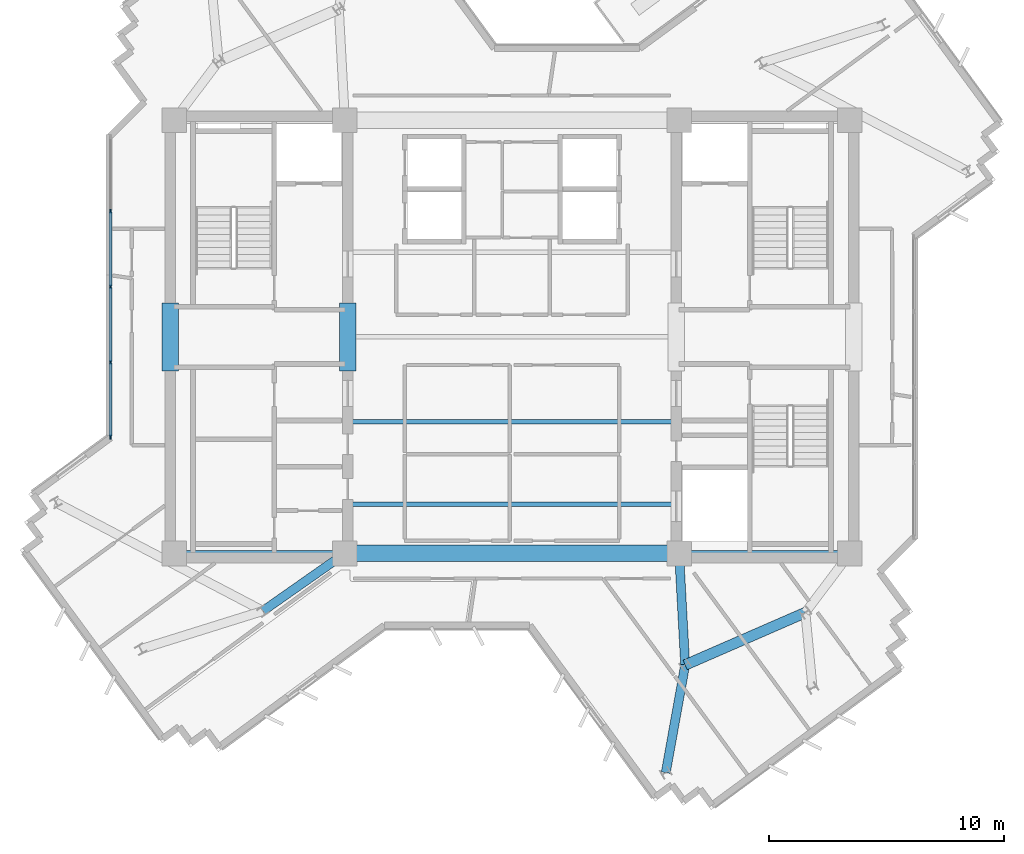
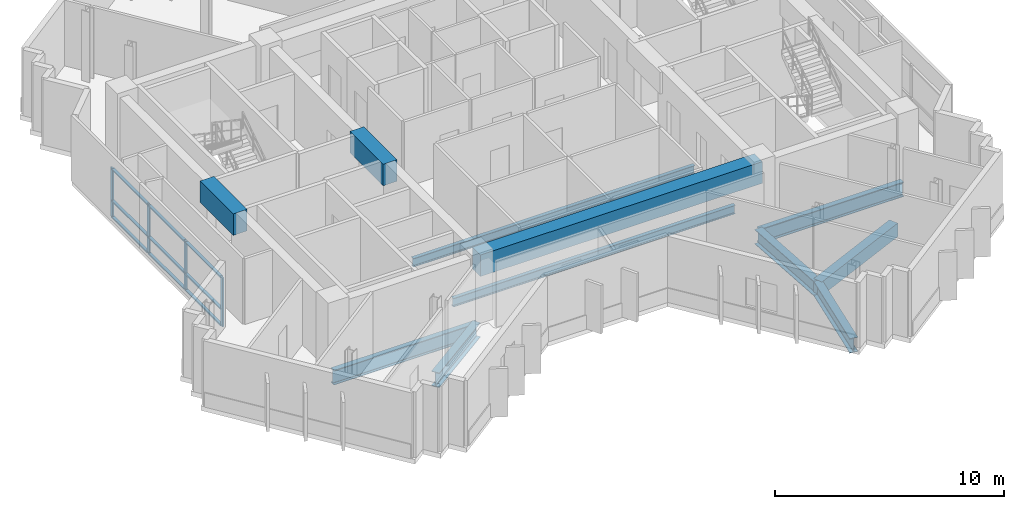
# One storey, part 2 of 13: 13 members, 11 beams, 1 element without a shape of its own.
"""IFC4 building model written with IfcOpenShell, lengths in metres."""

from ifc_helpers import new_model, si_unit, direction, frame, origin, origin_2d, place, context, subcontext, project, spatial, rectangle, i_section, extrude, source, transform, mapped, material, layer, layer_set, material_profile, profile_set, type_object, element, aggregate, save


model = new_model("IFC4")

# Units and contexts
model_context = context("Model", 3, precision=1e-05, world=origin(), true_north=direction((0.0, 1.0)))
body_context = subcontext(model_context, "Body", "Model", "MODEL_VIEW")
ifc_project = project(units=[si_unit("LENGTHUNIT", "METRE"), si_unit("AREAUNIT", "SQUARE_METRE"), si_unit("VOLUMEUNIT", "CUBIC_METRE"), si_unit("PLANEANGLEUNIT", "RADIAN"), si_unit("MASSUNIT", "GRAM", prefix="KILO")], contexts=[model_context])

# Site, building, storey
site_placement = place(None, origin())
site = spatial("IfcSite", under=ifc_project, at=site_placement, CompositionType="ELEMENT")
building_placement = place(site_placement, origin())
building = spatial("IfcBuilding", under=site, at=building_placement, Name="Zahravan Cultural Tower", CompositionType="ELEMENT")
storey_placement = place(building_placement, frame((0.0, 0.0, 276.60009765625)))
storey = spatial("IfcBuildingStorey", under=building, at=storey_placement, Name="L66", CompositionType="ELEMENT", Elevation=276.60009765625)

# Beams
ifc_material_1 = material(Name="Concrete C50/60", Category="concrete")
ifc_material_profile_1 = material_profile(ifc_material_1, rectangle(XDim=0.699951171875, YDim=1.14990234375, at=origin_2d()), Name="RC700X1150")
ifc_profile_set_1 = profile_set([ifc_material_profile_1], Name="Concrete C50/60")
beam_type_1 = type_object("IfcBeamType", Name="BM-LN-RC700X1150", PredefinedType="LINTEL", material=ifc_profile_set_1)
shared_shape_1 = source(origin(), body_context, "Body", "SweptSolid", [
    extrude(rectangle(XDim=0.699951171875, YDim=1.14990234375, at=origin_2d()), origin(), (0.0, 0.0, 1.0), 14.2001953125),
])
beam_1_placement = place(storey_placement, frame((28.89990234375, 17.800048828125, 2.9248046875), z_axis=(1.0, 0.0, 0.0), x_axis=(0.0, 1.0, 0.0)))
element("IfcBeam", 1, at=beam_1_placement, inside=storey, type_object=beam_type_1, Name="L66 Beam LN-L66-S", PredefinedType="LINTEL", context=body_context, shape_type="MappedRepresentation", body=[
    mapped(shared_shape_1, transform((0.0, 0.0, 0.0), x_axis=(1.0, 0.0, 0.0), y_axis=(0.0, 1.0, 0.0), z_axis=(0.0, 0.0, 1.0), scale=1.0)),
])
shared_shape_2 = source(origin(), body_context, "Body", "SweptSolid", [
    extrude(rectangle(XDim=0.699951171875, YDim=1.14990234375, at=origin_2d()), origin(), (0.0, 0.0, 1.0), 2.89990234375),
])
for number, where, z_axis, x_axis, name in (
    (2, (21.47509765625, 25.550048828125, 2.9248046875), (0.0, 1.0, 0.0), (-1.0, 0.0, 0.0), "L66 Beam LN-L66-PWW"),
    (3, (29.02490234375, 25.550048828125, 2.9248046875), (0.0, 1.0, 0.0), (-1.0, 0.0, 0.0), "L66 Beam LN-L66-PWE"),
):
    element("IfcBeam", number, at=place(storey_placement, frame(where, z_axis=z_axis, x_axis=x_axis)), inside=storey, type_object=beam_type_1, Name=name, PredefinedType="LINTEL", context=body_context, shape_type="MappedRepresentation", body=[
        mapped(shared_shape_2, transform((0.0, 0.0, 0.0), x_axis=(1.0, 0.0, 0.0), y_axis=(0.0, 1.0, 0.0), z_axis=(0.0, 0.0, 1.0), scale=1.0)),
    ])
ifc_material_2 = material(Name="Steel ASTM A992 Grade 50", Category="steel")
ifc_material_profile_2 = material_profile(ifc_material_2, i_section(OverallWidth=0.26611328125, OverallDepth=0.780029296875, WebThickness=0.0166015625, FlangeThickness=0.030029296875, FilletRadius=0.01904296875, at=origin_2d()), Name="W30X148")
ifc_profile_set_2 = profile_set([ifc_material_profile_2], Name="Steel ASTM A992 Grade 50")
beam_type_2 = type_object("IfcBeamType", Name="BM-G-W30X148", PredefinedType="BEAM", material=ifc_profile_set_2)
shared_shape_3 = source(origin(), body_context, "Body", "SweptSolid", [
    extrude(i_section(OverallWidth=0.26611328125, OverallDepth=0.780029296875, WebThickness=0.0166015625, FlangeThickness=0.030029296875, FilletRadius=0.01904296875, at=origin_2d()), origin(), (0.0, 0.0, 1.0), 7.25),
])
for number, where, z_axis, x_axis, name in (
    (4, (21.64990234375, 17.800048828125, -0.64013671875), (1.0, 0.0, 0.0), (0.0, 1.0, 0.0), "L66 Beam BG-L66-01"),
    (5, (43.10009765625, 17.800048828125, -0.64013671875), (1.0, 0.0, 0.0), (0.0, 1.0, 0.0), "L66 Beam BG-L66-04"),
):
    element("IfcBeam", number, at=place(storey_placement, frame(where, z_axis=z_axis, x_axis=x_axis)), inside=storey, type_object=beam_type_2, Name=name, PredefinedType="BEAM", context=body_context, shape_type="MappedRepresentation", body=[
        mapped(shared_shape_3, transform((0.0, 0.0, 0.0), x_axis=(1.0, 0.0, 0.0), y_axis=(0.0, 1.0, 0.0), z_axis=(0.0, 0.0, 1.0), scale=1.0)),
    ])
ifc_material_3 = material(Name="Concrete C45/55", Category="concrete")
ifc_material_profile_3 = material_profile(ifc_material_3, rectangle(XDim=0.449951171875, YDim=0.719970703125, at=origin_2d()), Name="RC450X720")
ifc_profile_set_3 = profile_set([ifc_material_profile_3], Name="Concrete C45/55")
beam_type_3 = type_object("IfcBeamType", Name="BM-SP-RC450X720", PredefinedType="SPANDREL", material=ifc_profile_set_3)
shared_shape_4 = source(origin(), body_context, "Body", "SweptSolid", [
    extrude(rectangle(XDim=0.449951171875, YDim=0.719970703125, at=origin_2d()), origin(), (0.0, 0.0, 1.0), 5.570556640625),
])
beam_2_placement = place(storey_placement, frame((43.357421875, 13.062744140625, -0.610107421875), z_axis=(0.9166445026, 0.399703459896, 0.0), x_axis=(-0.399703459896, 0.9166445026, 0.0)))
element("IfcBeam", 6, at=beam_2_placement, inside=storey, type_object=beam_type_3, Name="L66 Beam SP-L66-20", PredefinedType="SPANDREL", context=body_context, shape_type="MappedRepresentation", body=[
    mapped(shared_shape_4, transform((0.0, 0.0, 0.0), x_axis=(1.0, 0.0, 0.0), y_axis=(0.0, 1.0, 0.0), z_axis=(0.0, 0.0, 1.0), scale=1.0)),
])
ifc_material_profile_4 = material_profile(ifc_material_2, i_section(OverallWidth=0.18994140625, OverallDepth=0.45703125, WebThickness=0.009033203125, FlangeThickness=0.014404296875, FilletRadius=0.012939453125, at=origin_2d()), Name="W18X50")
ifc_profile_set_4 = profile_set([ifc_material_profile_4], Name="Steel ASTM A992 Grade 50")
beam_type_4 = type_object("IfcBeamType", Name="BM-J-W18X50", PredefinedType="JOIST", material=ifc_profile_set_4)
shared_shape_5 = source(origin(), body_context, "Body", "SweptSolid", [
    extrude(i_section(OverallWidth=0.18994140625, OverallDepth=0.45703125, WebThickness=0.009033203125, FlangeThickness=0.014404296875, FilletRadius=0.012939453125, at=origin_2d()), origin(), (0.0, 0.0, 1.0), 14.2001953125),
])
for number, where, z_axis, x_axis, name in (
    (7, (28.89990234375, 19.89990234375, -0.478515625), (1.0, 0.0, 0.0), (0.0, 1.0, 0.0), "L66 Beam BJ-L66-22"),
    (8, (28.89990234375, 23.39990234375, -0.478515625), (1.0, 0.0, 0.0), (0.0, 1.0, 0.0), "L66 Beam BJ-L66-23"),
):
    element("IfcBeam", number, at=place(storey_placement, frame(where, z_axis=z_axis, x_axis=x_axis)), inside=storey, type_object=beam_type_4, Name=name, PredefinedType="JOIST", context=body_context, shape_type="MappedRepresentation", body=[
        mapped(shared_shape_5, transform((0.0, 0.0, 0.0), x_axis=(1.0, 0.0, 0.0), y_axis=(0.0, 1.0, 0.0), z_axis=(0.0, 0.0, 1.0), scale=1.0)),
    ])
ifc_material_profile_5 = material_profile(ifc_material_2, i_section(OverallWidth=0.382080078125, OverallDepth=0.779052734375, WebThickness=0.01806640625, FlangeThickness=0.030029296875, FilletRadius=0.01904296875, at=origin_2d()), Name="W30X191")
ifc_profile_set_5 = profile_set([ifc_material_profile_5], Name="Steel ASTM A992 Grade 50")
beam_type_5 = type_object("IfcBeamType", Name="BM-G-W30X191", PredefinedType="BEAM", material=ifc_profile_set_5)
shared_shape_6 = source(origin(), body_context, "Body", "SweptSolid", [
    extrude(i_section(OverallWidth=0.382080078125, OverallDepth=0.779052734375, WebThickness=0.01806640625, FlangeThickness=0.030029296875, FilletRadius=0.01904296875, at=origin_2d()), origin(), (0.0, 0.0, 1.0), 4.248779296875),
])
beam_3_placement = place(storey_placement, frame((28.89990234375, 17.800048828125, -0.6396484375), z_axis=(-0.81854294596, -0.574445337365, 0.0), x_axis=(0.574445337365, -0.81854294596, 0.0)))
element("IfcBeam", 9, at=beam_3_placement, inside=storey, type_object=beam_type_5, Name="L66 Beam BG-L66-07", PredefinedType="BEAM", context=body_context, shape_type="MappedRepresentation", body=[
    mapped(shared_shape_6, transform((0.0, 0.0, 0.0), x_axis=(1.0, 0.0, 0.0), y_axis=(0.0, 1.0, 0.0), z_axis=(0.0, 0.0, 1.0), scale=1.0)),
])
shared_shape_7 = source(origin(), body_context, "Body", "SweptSolid", [
    extrude(i_section(OverallWidth=0.382080078125, OverallDepth=0.779052734375, WebThickness=0.01806640625, FlangeThickness=0.030029296875, FilletRadius=0.01904296875, at=origin_2d()), origin(), (0.0, 0.0, 1.0), 4.744384765625),
])
beam_4_placement = place(storey_placement, frame((43.10009765625, 17.800048828125, -0.6396484375), z_axis=(0.054238739845, -0.998527996152, 0.0), x_axis=(0.998527996152, 0.054238739845, 0.0)))
element("IfcBeam", 10, at=beam_4_placement, inside=storey, type_object=beam_type_5, Name="L66 Beam BG-L66-08", PredefinedType="BEAM", context=body_context, shape_type="MappedRepresentation", body=[
    mapped(shared_shape_7, transform((0.0, 0.0, 0.0), x_axis=(1.0, 0.0, 0.0), y_axis=(0.0, 1.0, 0.0), z_axis=(0.0, 0.0, 1.0), scale=1.0)),
])
shared_shape_8 = source(origin(), body_context, "Body", "SweptSolid", [
    extrude(i_section(OverallWidth=0.382080078125, OverallDepth=0.779052734375, WebThickness=0.01806640625, FlangeThickness=0.030029296875, FilletRadius=0.01904296875, at=origin_2d()), origin(), (0.0, 0.0, 1.0), 4.65087890625),
])
beam_5_placement = place(storey_placement, frame((43.357421875, 13.062744140625, -0.6396484375), z_axis=(-0.177425522697, -0.984134230629, 0.0), x_axis=(0.984134230629, -0.177425522697, 0.0)))
element("IfcBeam", 11, at=beam_5_placement, inside=storey, type_object=beam_type_5, Name="L66 Beam BG-L66-18", PredefinedType="BEAM", context=body_context, shape_type="MappedRepresentation", body=[
    mapped(shared_shape_8, transform((0.0, 0.0, 0.0), x_axis=(1.0, 0.0, 0.0), y_axis=(0.0, 1.0, 0.0), z_axis=(0.0, 0.0, 1.0), scale=1.0)),
])

# Curtain wall, members
ifc_material_4 = material(Name="Anodised bronze-aluminium mullion", Category="aluminium")
ifc_layer = layer(ifc_material_4, 0.179931640625)
ifc_layer_set = layer_set([ifc_layer], Name="Anodised bronze-aluminium mullion")
curtain_wall_type = type_object("IfcCurtainWallType", Name="CW-SYS-3", PredefinedType="USERDEFINED", material=ifc_layer_set)
curtain_wall_placement = place(storey_placement, origin())
curtain_wall = element("IfcCurtainWall", 12, at=curtain_wall_placement, inside=storey, type_object=curtain_wall_type, Name="L66 Recessed Curtain Wall CW-3.2", ObjectType="RECESSED GLAZING", PredefinedType="USERDEFINED")
ifc_material_profile_6 = material_profile(ifc_material_4, rectangle(XDim=0.070068359375, YDim=0.179931640625, at=origin_2d()), Name="AL-M70X180")
ifc_profile_set_6 = profile_set([ifc_material_profile_6], Name="Anodised bronze-aluminium mullion")
member_type_1 = type_object("IfcMemberType", Name="CWM-CW-3", PredefinedType="MULLION", material=ifc_profile_set_6)
shared_shape_9 = source(origin(), body_context, "Body", "SweptSolid", [
    extrude(rectangle(XDim=0.070068359375, YDim=0.179931640625, at=origin_2d()), origin(), (0.0, 0.0, 1.0), 2.619873046875),
])
member_1_placement = place(storey_placement, frame((18.93994140625, 22.749267578125, 0.0), z_axis=(0.0, 0.0, 1.0), x_axis=(-1.0, 0.0, 0.0)))
member_1 = element("IfcMember", 13, at=member_1_placement, type_object=member_type_1, Name="CW-3 mullion 1", PredefinedType="MULLION", context=body_context, shape_type="MappedRepresentation", body=[
    mapped(shared_shape_9, transform((0.0, 0.0, 0.0), x_axis=(1.0, 0.0, 0.0), y_axis=(0.0, 1.0, 0.0), z_axis=(0.0, 0.0, 1.0), scale=1.0)),
])
member_2_placement = place(storey_placement, frame((18.93994140625, 25.921142578125, 0.0), z_axis=(0.0, 0.0, 1.0), x_axis=(-1.0, 0.0, 0.0)))
member_2 = element("IfcMember", 14, at=member_2_placement, type_object=member_type_1, Name="CW-3 mullion 2", PredefinedType="MULLION", context=body_context, shape_type="MappedRepresentation", body=[
    mapped(shared_shape_9, transform((0.0, 0.0, 0.0), x_axis=(1.0, 0.0, 0.0), y_axis=(0.0, 1.0, 0.0), z_axis=(0.0, 0.0, 1.0), scale=1.0)),
])
member_3_placement = place(storey_placement, frame((18.93994140625, 29.128173828125, 0.0), z_axis=(0.0, 0.0, 1.0), x_axis=(-1.0, 0.0, 0.0)))
member_3 = element("IfcMember", 15, at=member_3_placement, type_object=member_type_1, Name="CW-3 mullion 3", PredefinedType="MULLION", context=body_context, shape_type="MappedRepresentation", body=[
    mapped(shared_shape_9, transform((0.0, 0.0, 0.0), x_axis=(1.0, 0.0, 0.0), y_axis=(0.0, 1.0, 0.0), z_axis=(0.0, 0.0, 1.0), scale=1.0)),
])
member_4_placement = place(storey_placement, frame((18.93994140625, 32.3349609375, 0.0), z_axis=(0.0, 0.0, 1.0), x_axis=(-1.0, 0.0, 0.0)))
member_4 = element("IfcMember", 16, at=member_4_placement, type_object=member_type_1, Name="CW-3 mullion 4", PredefinedType="MULLION", context=body_context, shape_type="MappedRepresentation", body=[
    mapped(shared_shape_9, transform((0.0, 0.0, 0.0), x_axis=(1.0, 0.0, 0.0), y_axis=(0.0, 1.0, 0.0), z_axis=(0.0, 0.0, 1.0), scale=1.0)),
])
ifc_material_profile_7 = material_profile(ifc_material_4, rectangle(XDim=0.139892578125, YDim=0.070068359375, at=origin_2d()), Name="AL-T70X140")
ifc_profile_set_7 = profile_set([ifc_material_profile_7], Name="Anodised bronze-aluminium mullion")
member_type_2 = type_object("IfcMemberType", Name="CWT-CW-3", PredefinedType="USERDEFINED", material=ifc_profile_set_7)
shared_shape_10 = source(origin(), body_context, "Body", "SweptSolid", [
    extrude(rectangle(XDim=0.139892578125, YDim=0.070068359375, at=origin_2d()), origin(), (0.0, 0.0, 1.0), 3.10205078125),
])
member_5_placement = place(storey_placement, frame((18.93994140625, 22.7841796875, 0.034912109375), z_axis=(0.0, 1.0, 0.0), x_axis=(-1.0, 0.0, 0.0)))
member_5 = element("IfcMember", 17, at=member_5_placement, type_object=member_type_2, Name="CW-3 transom 1.1", ObjectType="TRANSOM", PredefinedType="USERDEFINED", context=body_context, shape_type="MappedRepresentation", body=[
    mapped(shared_shape_10, transform((0.0, 0.0, 0.0), x_axis=(1.0, 0.0, 0.0), y_axis=(0.0, 1.0, 0.0), z_axis=(0.0, 0.0, 1.0), scale=1.0)),
])
member_6_placement = place(storey_placement, frame((18.93994140625, 22.7841796875, 0.89990234375), z_axis=(0.0, 1.0, 0.0), x_axis=(-1.0, 0.0, 0.0)))
member_6 = element("IfcMember", 18, at=member_6_placement, type_object=member_type_2, Name="CW-3 transom 1.2", ObjectType="TRANSOM", PredefinedType="USERDEFINED", context=body_context, shape_type="MappedRepresentation", body=[
    mapped(shared_shape_10, transform((0.0, 0.0, 0.0), x_axis=(1.0, 0.0, 0.0), y_axis=(0.0, 1.0, 0.0), z_axis=(0.0, 0.0, 1.0), scale=1.0)),
])
member_7_placement = place(storey_placement, frame((18.93994140625, 22.7841796875, 2.5849609375), z_axis=(0.0, 1.0, 0.0), x_axis=(-1.0, 0.0, 0.0)))
member_7 = element("IfcMember", 19, at=member_7_placement, type_object=member_type_2, Name="CW-3 transom 1.3", ObjectType="TRANSOM", PredefinedType="USERDEFINED", context=body_context, shape_type="MappedRepresentation", body=[
    mapped(shared_shape_10, transform((0.0, 0.0, 0.0), x_axis=(1.0, 0.0, 0.0), y_axis=(0.0, 1.0, 0.0), z_axis=(0.0, 0.0, 1.0), scale=1.0)),
])
shared_shape_11 = source(origin(), body_context, "Body", "SweptSolid", [
    extrude(rectangle(XDim=0.139892578125, YDim=0.070068359375, at=origin_2d()), origin(), (0.0, 0.0, 1.0), 3.136962890625),
])
member_8_placement = place(storey_placement, frame((18.93994140625, 25.956298828125, 0.034912109375), z_axis=(0.0, 1.0, 0.0), x_axis=(-1.0, 0.0, 0.0)))
member_8 = element("IfcMember", 20, at=member_8_placement, type_object=member_type_2, Name="CW-3 transom 2.1", ObjectType="TRANSOM", PredefinedType="USERDEFINED", context=body_context, shape_type="MappedRepresentation", body=[
    mapped(shared_shape_11, transform((0.0, 0.0, 0.0), x_axis=(1.0, 0.0, 0.0), y_axis=(0.0, 1.0, 0.0), z_axis=(0.0, 0.0, 1.0), scale=1.0)),
])
member_9_placement = place(storey_placement, frame((18.93994140625, 25.956298828125, 0.89990234375), z_axis=(0.0, 1.0, 0.0), x_axis=(-1.0, 0.0, 0.0)))
member_9 = element("IfcMember", 21, at=member_9_placement, type_object=member_type_2, Name="CW-3 transom 2.2", ObjectType="TRANSOM", PredefinedType="USERDEFINED", context=body_context, shape_type="MappedRepresentation", body=[
    mapped(shared_shape_11, transform((0.0, 0.0, 0.0), x_axis=(1.0, 0.0, 0.0), y_axis=(0.0, 1.0, 0.0), z_axis=(0.0, 0.0, 1.0), scale=1.0)),
])
member_10_placement = place(storey_placement, frame((18.93994140625, 25.956298828125, 2.5849609375), z_axis=(0.0, 1.0, 0.0), x_axis=(-1.0, 0.0, 0.0)))
member_10 = element("IfcMember", 22, at=member_10_placement, type_object=member_type_2, Name="CW-3 transom 2.3", ObjectType="TRANSOM", PredefinedType="USERDEFINED", context=body_context, shape_type="MappedRepresentation", body=[
    mapped(shared_shape_11, transform((0.0, 0.0, 0.0), x_axis=(1.0, 0.0, 0.0), y_axis=(0.0, 1.0, 0.0), z_axis=(0.0, 0.0, 1.0), scale=1.0)),
])
member_11_placement = place(storey_placement, frame((18.93994140625, 29.1630859375, 0.034912109375), z_axis=(0.0, 1.0, 0.0), x_axis=(-1.0, 0.0, 0.0)))
member_11 = element("IfcMember", 23, at=member_11_placement, type_object=member_type_2, Name="CW-3 transom 3.1", ObjectType="TRANSOM", PredefinedType="USERDEFINED", context=body_context, shape_type="MappedRepresentation", body=[
    mapped(shared_shape_11, transform((0.0, 0.0, 0.0), x_axis=(1.0, 0.0, 0.0), y_axis=(0.0, 1.0, 0.0), z_axis=(0.0, 0.0, 1.0), scale=1.0)),
])
member_12_placement = place(storey_placement, frame((18.93994140625, 29.1630859375, 0.89990234375), z_axis=(0.0, 1.0, 0.0), x_axis=(-1.0, 0.0, 0.0)))
member_12 = element("IfcMember", 24, at=member_12_placement, type_object=member_type_2, Name="CW-3 transom 3.2", ObjectType="TRANSOM", PredefinedType="USERDEFINED", context=body_context, shape_type="MappedRepresentation", body=[
    mapped(shared_shape_11, transform((0.0, 0.0, 0.0), x_axis=(1.0, 0.0, 0.0), y_axis=(0.0, 1.0, 0.0), z_axis=(0.0, 0.0, 1.0), scale=1.0)),
])
member_13_placement = place(storey_placement, frame((18.93994140625, 29.1630859375, 2.5849609375), z_axis=(0.0, 1.0, 0.0), x_axis=(-1.0, 0.0, 0.0)))
member_13 = element("IfcMember", 25, at=member_13_placement, type_object=member_type_2, Name="CW-3 transom 3.3", ObjectType="TRANSOM", PredefinedType="USERDEFINED", context=body_context, shape_type="MappedRepresentation", body=[
    mapped(shared_shape_11, transform((0.0, 0.0, 0.0), x_axis=(1.0, 0.0, 0.0), y_axis=(0.0, 1.0, 0.0), z_axis=(0.0, 0.0, 1.0), scale=1.0)),
])
aggregate(curtain_wall, [member_1, member_2, member_3, member_4, member_5, member_6, member_7, member_8, member_9, member_10, member_11, member_12, member_13])

save(model, "model.ifc")
